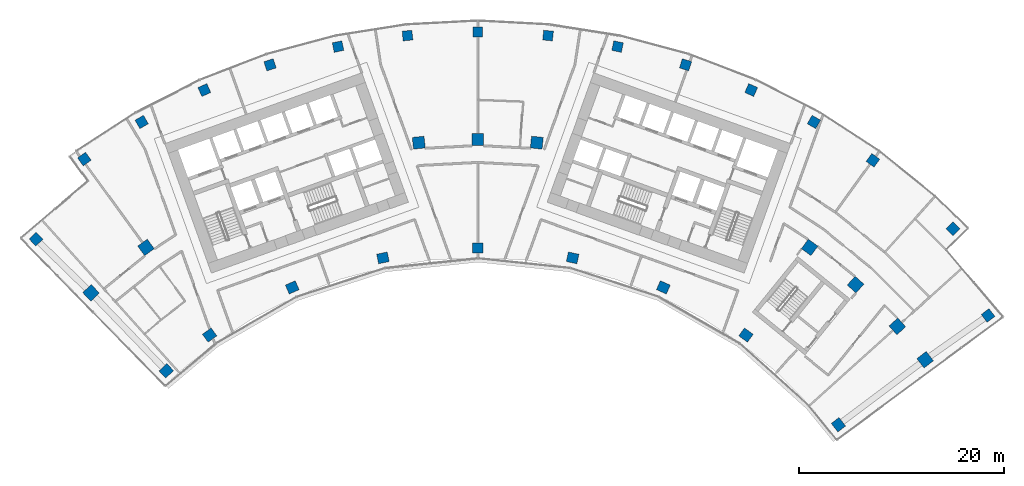
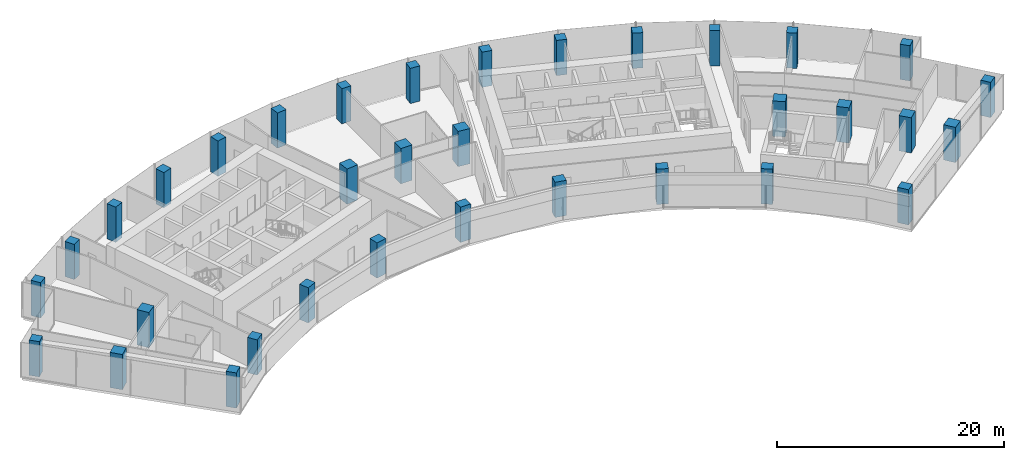
# One storey, part 1 of 18: 34 columns.
"""IFC4 building model written with IfcOpenShell, lengths in metres."""

import ifcopenshell
import ifcopenshell.guid

model = None  # the IFC model being written
_history = None  # IfcOwnerHistory: only IFC2X3 demands one
_inside = {}  # id of a spatial element -> (the spatial element, [elements in it])
_under = {}  # id of a project, library or spatial element -> (it, [spatial elements below it])
_declared = {}  # id of a project -> (the project, [libraries it declares])
_typed = {}  # id of a type object -> (the type object, [elements of that type])
_made_of = {}  # id of a material, layer set ... -> (it, [elements and type objects made of it])


def new_model(schema):
    """Start an empty IFC model of exactly this schema.

    Asked for "IFC4X3", IfcOpenShell would pick the latest addendum, in which some entities
    have other attributes; the version numbers below select the first issue.
    IFC2X3 requires an IfcOwnerHistory on every rooted entity: one is made here for all.
    """
    global model, _history
    if schema == "IFC4X3":
        model = ifcopenshell.file(schema_version=(4, 3, 0, 0))
    else:
        model = ifcopenshell.file(schema=schema)
    _inside.clear()
    _under.clear()
    _declared.clear()
    _typed.clear()
    _made_of.clear()
    _history = None
    if model.schema == "IFC2X3":
        org = make("IfcOrganization", Name="unknown")
        user = make(
            "IfcPersonAndOrganization",
            ThePerson=make("IfcPerson", FamilyName="unknown"),
            TheOrganization=org,
        )
        app = make(
            "IfcApplication",
            ApplicationDeveloper=org,
            Version="unknown",
            ApplicationFullName="unknown",
            ApplicationIdentifier="unknown",
        )
        _history = make(
            "IfcOwnerHistory",
            OwningUser=user,
            OwningApplication=app,
            ChangeAction="ADDED",
            CreationDate=0,
        )
    return model


def make(cls, **values):
    """One entity of the class cls with the attributes given. An attribute that is None is left unset."""
    return model.create_entity(
        cls, **{name: value for name, value in values.items() if value is not None}
    )


def rooted(cls, **values):
    """An entity with a GlobalId (a new one), such as an element, a storey or a relation."""
    return make(cls, GlobalId=ifcopenshell.guid.new(), OwnerHistory=_history, **values)


def si_unit(unit_type, name, prefix=None):
    """IfcSIUnit, for example si_unit("LENGTHUNIT", "METRE", prefix="MILLI")."""
    return make("IfcSIUnit", UnitType=unit_type, Prefix=prefix, Name=name)


def assignment(units):
    """IfcUnitAssignment: the units of a project."""
    return None if units is None else make("IfcUnitAssignment", Units=units)


def point(xyz):
    """IfcCartesianPoint."""
    return None if xyz is None else make("IfcCartesianPoint", Coordinates=xyz)


def direction(xyz):
    """IfcDirection."""
    return None if xyz is None else make("IfcDirection", DirectionRatios=xyz)


def frame(location, z_axis=None, x_axis=None):
    """IfcAxis2Placement3D, a coordinate frame: its origin and axes. An axis left out is left unset."""
    return make(
        "IfcAxis2Placement3D",
        Location=point(location),
        Axis=direction(z_axis),
        RefDirection=direction(x_axis),
    )


def frame_2d(location, x_axis=None):
    """IfcAxis2Placement2D, a coordinate frame in the plane: its origin and x axis."""
    return make(
        "IfcAxis2Placement2D", Location=point(location), RefDirection=direction(x_axis)
    )


def origin():
    """The frame at (0, 0, 0) with its axes left unset."""
    return frame((0.0, 0.0, 0.0))


def origin_2d():
    """The frame at (0, 0) in the plane with its x axis left unset."""
    return frame_2d((0.0, 0.0))


def place(relative_to, where):
    """IfcLocalPlacement: puts the frame where relative to a parent placement (None: the world)."""
    return make(
        "IfcLocalPlacement", PlacementRelTo=relative_to, RelativePlacement=where
    )


def context(
    kind, dimensions, precision=None, world=None, true_north=None, identifier=None
):
    """IfcGeometricRepresentationContext, for example the 3D "Model" context."""
    return make(
        "IfcGeometricRepresentationContext",
        ContextIdentifier=identifier,
        ContextType=kind,
        CoordinateSpaceDimension=dimensions,
        Precision=precision,
        WorldCoordinateSystem=world,
        TrueNorth=true_north,
    )


def subcontext(parent, identifier, kind, view, scale=None):
    """IfcGeometricRepresentationSubContext, for example "Body" below "Model"."""
    return make(
        "IfcGeometricRepresentationSubContext",
        ContextIdentifier=identifier,
        ContextType=kind,
        ParentContext=parent,
        TargetScale=scale,
        TargetView=view,
    )


def project(units=None, contexts=None):
    """IfcProject with its units and contexts."""
    return rooted(
        "IfcProject",
        Name="project",
        RepresentationContexts=contexts,
        UnitsInContext=assignment(units),
    )


def spatial(cls, under=None, at=None, **own):
    """A site, building, storey or space (cls), placed at a placement, below another one or the project."""
    s = rooted(cls, ObjectPlacement=at, **own)
    if under is not None:
        _under.setdefault(under.id(), (under, []))[1].append(s)
    return s


def profile(cls, at=None, kind="AREA", **sizes):
    """A parametric profile (cls). Its sizes go by their IFC names, for example OverallWidth=200.0."""
    return make(cls, ProfileType=kind, Position=at, **sizes)


def rectangle(**sizes):
    """IfcRectangleProfileDef."""
    return profile("IfcRectangleProfileDef", **sizes)


def extrude(swept, where, along, depth):
    """IfcExtrudedAreaSolid: the profile swept, set in the frame where, extruded along a direction by depth."""
    return make(
        "IfcExtrudedAreaSolid",
        SweptArea=swept,
        Position=where,
        ExtrudedDirection=direction(along),
        Depth=depth,
    )


def shape(context_of_items, identifier, shape_type, items):
    """IfcShapeRepresentation: the items that make up one representation, for example the "Body"."""
    return make(
        "IfcShapeRepresentation",
        ContextOfItems=context_of_items,
        RepresentationIdentifier=identifier,
        RepresentationType=shape_type,
        Items=items,
    )


def material(Name=None, Category=None):
    """IfcMaterial."""
    return make("IfcMaterial", Name=Name, Category=Category)


def material_profile(
    of_material, cross_section, Name=None, Category=None, Priority=None
):
    """IfcMaterialProfile: a cross section and its material."""
    return make(
        "IfcMaterialProfile",
        Name=Name,
        Material=of_material,
        Profile=cross_section,
        Priority=Priority,
        Category=Category,
    )


def profile_set(profiles, Name=None, composite=None):
    """IfcMaterialProfileSet."""
    return make(
        "IfcMaterialProfileSet",
        Name=Name,
        MaterialProfiles=profiles,
        CompositeProfile=composite,
    )


def made_of(thing, what):
    """Note that an element or type object is made of a material, layer set ...; save() writes the relation."""
    if what is not None:
        _made_of.setdefault(what.id(), (what, []))[1].append(thing)
    return thing


def type_object(cls, material=None, **own):
    """A type object (cls), such as IfcWallType, which elements share."""
    return made_of(rooted(cls, **own), material)


def element(
    cls,
    number,
    at=None,
    inside=None,
    cuts=None,
    type_object=None,
    material=None,
    context=None,
    identifier="Body",
    shape_type=None,
    held_by="IfcProductDefinitionShape",
    body=None,
    shapes=None,
    **own,
):
    """One element of the class cls, such as IfcWall. Its Tag is "e" and its number.

    at: its placement. inside: the storey or other place that contains it. cuts: it is an
    opening in that element (IfcRelVoidsElement). A single representation is given by context,
    identifier, shape_type and body (its items); several are given by shapes. held_by: the class
    of the entity that holds the representations. save() writes the other relations.
    """
    e = rooted(cls, Tag="e%d" % number, ObjectPlacement=at, **own)
    if body is not None:
        shapes = [shape(context, identifier, shape_type, body)]
    if shapes is not None:
        e.Representation = make(held_by, Representations=shapes)
    if inside is not None:
        _inside.setdefault(inside.id(), (inside, []))[1].append(e)
    if cuts is not None:
        rooted(
            "IfcRelVoidsElement", RelatingBuildingElement=cuts, RelatedOpeningElement=e
        )
    if type_object is not None:
        _typed.setdefault(type_object.id(), (type_object, []))[1].append(e)
    return made_of(e, material)


def aggregate(whole, parts):
    """IfcRelAggregates: a whole, such as a stair, and the parts it consists of."""
    return rooted("IfcRelAggregates", RelatingObject=whole, RelatedObjects=parts)


def save(model, path):
    """Write the relations noted so far, then the file.

    IfcRelAggregates (storeys below a building ...), IfcRelContainedInSpatialStructure (elements
    in a storey), IfcRelDefinesByType, IfcRelAssociatesMaterial and IfcRelDeclares: one each for
    every whole, place, type object, material and project.
    """
    for whole, parts in _under.values():
        aggregate(whole, parts)
    for where, things in _inside.values():
        rooted(
            "IfcRelContainedInSpatialStructure",
            RelatedElements=things,
            RelatingStructure=where,
        )
    for kind, things in _typed.values():
        rooted("IfcRelDefinesByType", RelatedObjects=things, RelatingType=kind)
    for what, things in _made_of.values():
        rooted("IfcRelAssociatesMaterial", RelatedObjects=things, RelatingMaterial=what)
    for by, libraries in _declared.values():
        rooted("IfcRelDeclares", RelatingContext=by, RelatedDefinitions=libraries)
    model.write(path)


model = new_model("IFC4")

# Units and contexts
model_context = context("Model", 3, precision=1e-05, world=origin(), true_north=direction((0.0, 1.0)))
body_context = subcontext(model_context, "Body", "Model", "MODEL_VIEW")
ifc_project = project(units=[si_unit("LENGTHUNIT", "METRE"), si_unit("AREAUNIT", "SQUARE_METRE"), si_unit("VOLUMEUNIT", "CUBIC_METRE"), si_unit("PLANEANGLEUNIT", "RADIAN"), si_unit("MASSUNIT", "GRAM", prefix="KILO")], contexts=[model_context])

# Site, building, storey
site_placement = place(None, origin())
site = spatial("IfcSite", under=ifc_project, at=site_placement, CompositionType="ELEMENT")
building_placement = place(site_placement, origin())
building = spatial("IfcBuilding", under=site, at=building_placement, Name="Stone Belt Terrace Tower", CompositionType="ELEMENT")
storey_placement = place(building_placement, frame((0.0, 0.0, 220.0)))
storey = spatial("IfcBuildingStorey", under=building, at=storey_placement, Name="L53", CompositionType="ELEMENT", Elevation=220.0)

# Columns
ifc_material = material(Name="Concrete B60", Category="concrete")
ifc_material_profile_1 = material_profile(ifc_material, rectangle(XDim=1.050048828125, YDim=0.949951171875, at=origin_2d()), Name="RC 1050x950")
ifc_profile_set_1 = profile_set([ifc_material_profile_1], Name="Concrete B60")
column_type_1 = type_object("IfcColumnType", Name="Column RC 1050x950 B60", PredefinedType="COLUMN", material=ifc_profile_set_1)
for number, where, z_axis, x_axis, name in (
    (1, (-30.347412109375, 32.471435546875, 0.0), (0.0, 0.0, 1.0), (0.730599788141, 0.68280593844, 0.0), "Column L53 PA"),
    (2, (-26.1240234375, 35.956787109375, 0.0), (0.0, 0.0, 1.0), (0.809016994375, 0.587785252292, 0.0), "Column L53 P16"),
    (3, (-18.077392578125, 40.6025390625, 0.0), (0.0, 0.0, 1.0), (0.913545457643, 0.406736643076, 0.0), "Column L53 P18"),
    (4, (-9.240478515625, 43.473876953125, 0.0), (0.0, 0.0, 1.0), (0.978147600734, 0.207911690818, 0.0), "Column L53 P20"),
    (5, (0.0, 44.445068359375, 0.0), (0.0, 0.0, 1.0), (1.0, 0.0, 0.0), "Column L53 P22"),
    (6, (9.240478515625, 43.473876953125, 0.0), (0.0, 0.0, 1.0), (0.978147600734, -0.207911690818, 0.0), "Column L53 P24"),
    (7, (18.077392578125, 40.6025390625, 0.0), (0.0, 0.0, 1.0), (0.913545457643, -0.406736643076, 0.0), "Column L53 P26"),
    (8, (26.1240234375, 35.956787109375, 0.0), (0.0, 0.0, 1.0), (0.809016994375, -0.587785252292, 0.0), "Column L53 P28"),
    (9, (35.133056640625, 27.221923828125, 0.0), (0.0, 0.0, 1.0), (0.612484967582, -0.790482235402, 0.0), "Column L53 PB"),
):
    element("IfcColumn", number, at=place(storey_placement, frame(where, z_axis=z_axis, x_axis=x_axis)), inside=storey, type_object=column_type_1, Name=name, PredefinedType="COLUMN", context=body_context, shape_type="SweptSolid", body=[
        extrude(rectangle(XDim=1.050048828125, YDim=0.949951171875, at=origin_2d()), origin(), (0.0, 0.0, 1.0), 3.800048828125),
    ])
ifc_material_profile_2 = material_profile(ifc_material, rectangle(XDim=1.14990234375, YDim=1.14990234375, at=origin_2d()), Name="RC 1150x1150")
ifc_profile_set_2 = profile_set([ifc_material_profile_2], Name="Concrete B60")
column_type_2 = type_object("IfcColumnType", Name="Column RC 1150x1150 B60", PredefinedType="COLUMN", material=ifc_profile_set_2)
for number, where, z_axis, x_axis, name in (
    (10, (-37.67626953125, 40.068603515625, 0.0), (0.0, 0.0, 1.0), (0.728520436287, 0.685024068126, 0.0), "Column L53 QA"),
    (11, (-32.328125, 44.495849609375, 0.0), (0.0, 0.0, 1.0), (0.809016994375, 0.587785252292, 0.0), "Column L53 Q16"),
    (12, (-5.7490234375, 54.69873046875, 0.0), (0.0, 0.0, 1.0), (0.994521895368, 0.104528463268, 0.0), "Column L53 Q21"),
    (13, (0.0, 55.0, 0.0), (0.0, 0.0, 1.0), (1.0, 0.0, 0.0), "Column L53 Q22"),
    (14, (5.7490234375, 54.69873046875, 0.0), (0.0, 0.0, 1.0), (0.994521895368, -0.104528463268, 0.0), "Column L53 Q23"),
    (15, (32.328125, 44.495849609375, 0.0), (0.0, 0.0, 1.0), (0.809016994375, -0.587785252292, 0.0), "Column L53 Q28"),
    (16, (36.80224609375, 40.873046875, 0.0), (0.0, 0.0, 1.0), (0.743144825477, -0.669130606359, 0.0), "Column L53 Q29"),
    (17, (40.873046875, 36.80224609375, 0.0), (0.0, 0.0, 1.0), (0.669130606359, -0.743144825477, 0.0), "Column L53 Q30"),
    (18, (43.57861328125, 33.55419921875, 0.0), (0.0, 0.0, 1.0), (0.610078787058, -0.792340755977, 0.0), "Column L53 QB"),
):
    element("IfcColumn", number, at=place(storey_placement, frame(where, z_axis=z_axis, x_axis=x_axis)), inside=storey, type_object=column_type_2, Name=name, PredefinedType="COLUMN", context=body_context, shape_type="SweptSolid", body=[
        extrude(rectangle(XDim=1.14990234375, YDim=1.14990234375, at=origin_2d()), origin(), (0.0, 0.0, 1.0), 3.800048828125),
    ])
ifc_material_profile_3 = material_profile(ifc_material, rectangle(XDim=0.949951171875, YDim=0.949951171875, at=origin_2d()), Name="RC 950x950")
ifc_profile_set_3 = profile_set([ifc_material_profile_3], Name="Concrete B60")
column_type_3 = type_object("IfcColumnType", Name="Column RC 950x950 B60", PredefinedType="COLUMN", material=ifc_profile_set_3)
for number, where, z_axis, x_axis, name in (
    (19, (-43.0419921875, 45.3017578125, 0.0), (0.0, 0.0, 1.0), (0.724958552514, 0.688792492074, 0.0), "Column L53 RA"),
    (20, (49.70947265625, 37.86572265625, 0.0), (0.0, 0.0, 1.0), (0.605960632634, -0.795494633356, 0.0), "Column L53 RB"),
    (21, (-38.32568359375, 53.10302734375, 0.0), (0.0, 0.0, 1.0), (0.810869795087, 0.585226601767, 0.0), "Column L53 RNA"),
    (22, (-32.744384765625, 56.715087890625, 0.0), (0.0, 0.0, 1.0), (0.866025403784, 0.5, 0.0), "Column L53 R17"),
    (23, (-26.63671875, 59.8271484375, 0.0), (0.0, 0.0, 1.0), (0.913545457643, 0.406736643076, 0.0), "Column L53 R18"),
    (24, (-20.2373046875, 62.28369140625, 0.0), (0.0, 0.0, 1.0), (0.951056516295, 0.309016994375, 0.0), "Column L53 R19"),
    (25, (-13.615966796875, 64.057861328125, 0.0), (0.0, 0.0, 1.0), (0.978147600734, 0.207911690818, 0.0), "Column L53 R20"),
    (26, (-6.845458984375, 65.130126953125, 0.0), (0.0, 0.0, 1.0), (0.994521895368, 0.104528463268, 0.0), "Column L53 R21"),
    (27, (0.0, 65.489013671875, 0.0), (0.0, 0.0, 1.0), (1.0, 0.0, 0.0), "Column L53 R22"),
    (28, (6.845458984375, 65.130126953125, 0.0), (0.0, 0.0, 1.0), (0.994521895368, -0.104528463268, 0.0), "Column L53 R23"),
    (29, (13.615966796875, 64.057861328125, 0.0), (0.0, 0.0, 1.0), (0.978147600734, -0.207911690818, 0.0), "Column L53 R24"),
    (30, (20.2373046875, 62.28369140625, 0.0), (0.0, 0.0, 1.0), (0.951056516295, -0.309016994375, 0.0), "Column L53 R25"),
    (31, (26.63671875, 59.8271484375, 0.0), (0.0, 0.0, 1.0), (0.913545457643, -0.406736643076, 0.0), "Column L53 R26"),
    (32, (32.744384765625, 56.715087890625, 0.0), (0.0, 0.0, 1.0), (0.866025403784, -0.5, 0.0), "Column L53 R27"),
    (33, (38.493408203125, 52.981689453125, 0.0), (0.0, 0.0, 1.0), (0.809016994375, -0.587785252292, 0.0), "Column L53 R28"),
    (34, (46.29638671875, 46.318603515625, 0.0), (0.0, 0.0, 1.0), (0.707275837349, -0.706937684596, 0.0), "Column L53 RNB"),
):
    element("IfcColumn", number, at=place(storey_placement, frame(where, z_axis=z_axis, x_axis=x_axis)), inside=storey, type_object=column_type_3, Name=name, PredefinedType="COLUMN", context=body_context, shape_type="SweptSolid", body=[
        extrude(rectangle(XDim=0.949951171875, YDim=0.949951171875, at=origin_2d()), origin(), (0.0, 0.0, 1.0), 3.800048828125),
    ])

save(model, "model.ifc")
